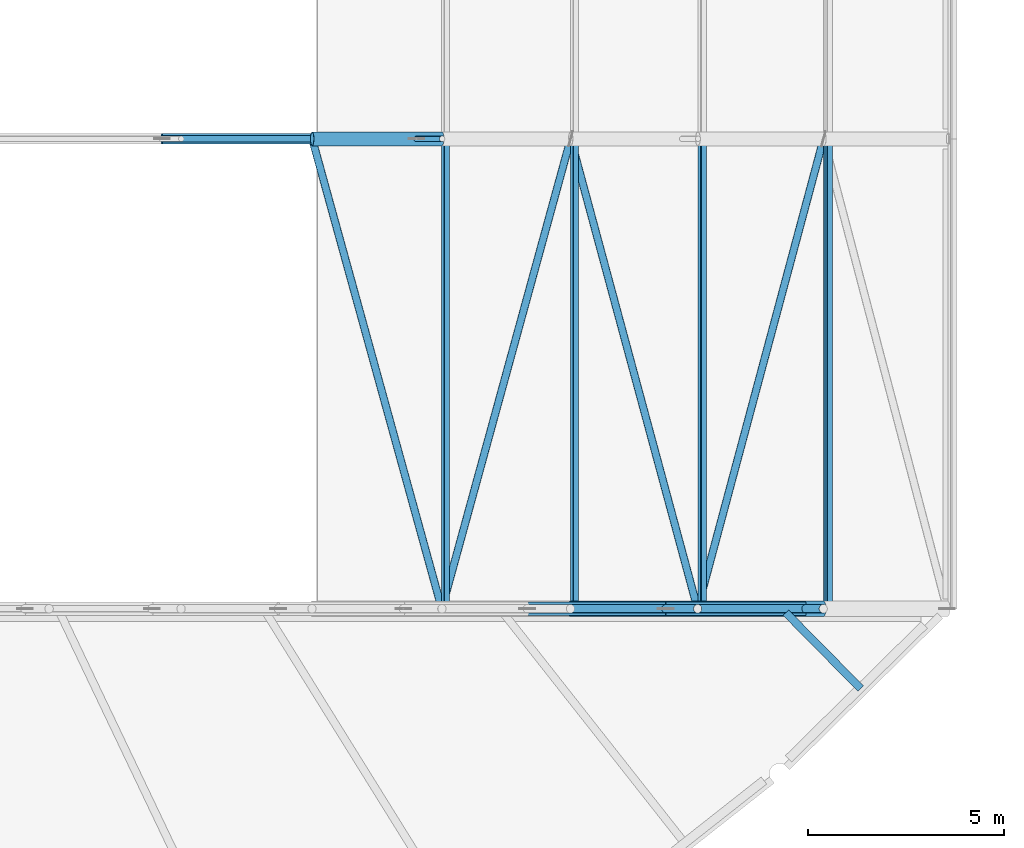
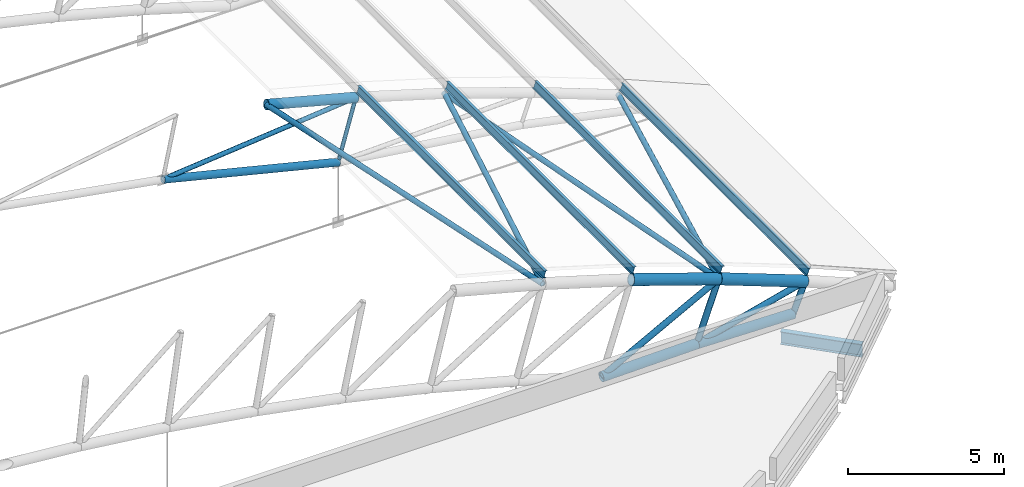
# One storey, part 44 of 321: 21 members.
"""IFC4 building model written with IfcOpenShell, lengths in metres."""

import ifcopenshell
import ifcopenshell.guid

model = None  # the IFC model being written
_history = None  # IfcOwnerHistory: only IFC2X3 demands one
_inside = {}  # id of a spatial element -> (the spatial element, [elements in it])
_under = {}  # id of a project, library or spatial element -> (it, [spatial elements below it])
_declared = {}  # id of a project -> (the project, [libraries it declares])
_typed = {}  # id of a type object -> (the type object, [elements of that type])
_made_of = {}  # id of a material, layer set ... -> (it, [elements and type objects made of it])


def new_model(schema):
    """Start an empty IFC model of exactly this schema.

    Asked for "IFC4X3", IfcOpenShell would pick the latest addendum, in which some entities
    have other attributes; the version numbers below select the first issue.
    IFC2X3 requires an IfcOwnerHistory on every rooted entity: one is made here for all.
    """
    global model, _history
    if schema == "IFC4X3":
        model = ifcopenshell.file(schema_version=(4, 3, 0, 0))
    else:
        model = ifcopenshell.file(schema=schema)
    _inside.clear()
    _under.clear()
    _declared.clear()
    _typed.clear()
    _made_of.clear()
    _history = None
    if model.schema == "IFC2X3":
        org = make("IfcOrganization", Name="unknown")
        user = make(
            "IfcPersonAndOrganization",
            ThePerson=make("IfcPerson", FamilyName="unknown"),
            TheOrganization=org,
        )
        app = make(
            "IfcApplication",
            ApplicationDeveloper=org,
            Version="unknown",
            ApplicationFullName="unknown",
            ApplicationIdentifier="unknown",
        )
        _history = make(
            "IfcOwnerHistory",
            OwningUser=user,
            OwningApplication=app,
            ChangeAction="ADDED",
            CreationDate=0,
        )
    return model


def make(cls, **values):
    """One entity of the class cls with the attributes given. An attribute that is None is left unset."""
    return model.create_entity(
        cls, **{name: value for name, value in values.items() if value is not None}
    )


def rooted(cls, **values):
    """An entity with a GlobalId (a new one), such as an element, a storey or a relation."""
    return make(cls, GlobalId=ifcopenshell.guid.new(), OwnerHistory=_history, **values)


def si_unit(unit_type, name, prefix=None):
    """IfcSIUnit, for example si_unit("LENGTHUNIT", "METRE", prefix="MILLI")."""
    return make("IfcSIUnit", UnitType=unit_type, Prefix=prefix, Name=name)


def assignment(units):
    """IfcUnitAssignment: the units of a project."""
    return None if units is None else make("IfcUnitAssignment", Units=units)


def point(xyz):
    """IfcCartesianPoint."""
    return None if xyz is None else make("IfcCartesianPoint", Coordinates=xyz)


def direction(xyz):
    """IfcDirection."""
    return None if xyz is None else make("IfcDirection", DirectionRatios=xyz)


def frame(location, z_axis=None, x_axis=None):
    """IfcAxis2Placement3D, a coordinate frame: its origin and axes. An axis left out is left unset."""
    return make(
        "IfcAxis2Placement3D",
        Location=point(location),
        Axis=direction(z_axis),
        RefDirection=direction(x_axis),
    )


def frame_2d(location, x_axis=None):
    """IfcAxis2Placement2D, a coordinate frame in the plane: its origin and x axis."""
    return make(
        "IfcAxis2Placement2D", Location=point(location), RefDirection=direction(x_axis)
    )


def origin():
    """The frame at (0, 0, 0) with its axes left unset."""
    return frame((0.0, 0.0, 0.0))


def origin_2d():
    """The frame at (0, 0) in the plane with its x axis left unset."""
    return frame_2d((0.0, 0.0))


def place(relative_to, where):
    """IfcLocalPlacement: puts the frame where relative to a parent placement (None: the world)."""
    return make(
        "IfcLocalPlacement", PlacementRelTo=relative_to, RelativePlacement=where
    )


def context(
    kind, dimensions, precision=None, world=None, true_north=None, identifier=None
):
    """IfcGeometricRepresentationContext, for example the 3D "Model" context."""
    return make(
        "IfcGeometricRepresentationContext",
        ContextIdentifier=identifier,
        ContextType=kind,
        CoordinateSpaceDimension=dimensions,
        Precision=precision,
        WorldCoordinateSystem=world,
        TrueNorth=true_north,
    )


def subcontext(parent, identifier, kind, view, scale=None):
    """IfcGeometricRepresentationSubContext, for example "Body" below "Model"."""
    return make(
        "IfcGeometricRepresentationSubContext",
        ContextIdentifier=identifier,
        ContextType=kind,
        ParentContext=parent,
        TargetScale=scale,
        TargetView=view,
    )


def project(units=None, contexts=None):
    """IfcProject with its units and contexts."""
    return rooted(
        "IfcProject",
        Name="project",
        RepresentationContexts=contexts,
        UnitsInContext=assignment(units),
    )


def spatial(cls, under=None, at=None, **own):
    """A site, building, storey or space (cls), placed at a placement, below another one or the project."""
    s = rooted(cls, ObjectPlacement=at, **own)
    if under is not None:
        _under.setdefault(under.id(), (under, []))[1].append(s)
    return s


def profile(cls, at=None, kind="AREA", **sizes):
    """A parametric profile (cls). Its sizes go by their IFC names, for example OverallWidth=200.0."""
    return make(cls, ProfileType=kind, Position=at, **sizes)


def hollow_circle(**sizes):
    """IfcCircleHollowProfileDef."""
    return profile("IfcCircleHollowProfileDef", **sizes)


def i_section(**sizes):
    """IfcIShapeProfileDef."""
    return profile("IfcIShapeProfileDef", **sizes)


def extrude(swept, where, along, depth):
    """IfcExtrudedAreaSolid: the profile swept, set in the frame where, extruded along a direction by depth."""
    return make(
        "IfcExtrudedAreaSolid",
        SweptArea=swept,
        Position=where,
        ExtrudedDirection=direction(along),
        Depth=depth,
    )


def shape(context_of_items, identifier, shape_type, items):
    """IfcShapeRepresentation: the items that make up one representation, for example the "Body"."""
    return make(
        "IfcShapeRepresentation",
        ContextOfItems=context_of_items,
        RepresentationIdentifier=identifier,
        RepresentationType=shape_type,
        Items=items,
    )


def material(Name=None, Category=None):
    """IfcMaterial."""
    return make("IfcMaterial", Name=Name, Category=Category)


def material_profile(
    of_material, cross_section, Name=None, Category=None, Priority=None
):
    """IfcMaterialProfile: a cross section and its material."""
    return make(
        "IfcMaterialProfile",
        Name=Name,
        Material=of_material,
        Profile=cross_section,
        Priority=Priority,
        Category=Category,
    )


def profile_set(profiles, Name=None, composite=None):
    """IfcMaterialProfileSet."""
    return make(
        "IfcMaterialProfileSet",
        Name=Name,
        MaterialProfiles=profiles,
        CompositeProfile=composite,
    )


def made_of(thing, what):
    """Note that an element or type object is made of a material, layer set ...; save() writes the relation."""
    if what is not None:
        _made_of.setdefault(what.id(), (what, []))[1].append(thing)
    return thing


def type_object(cls, material=None, **own):
    """A type object (cls), such as IfcWallType, which elements share."""
    return made_of(rooted(cls, **own), material)


def element(
    cls,
    number,
    at=None,
    inside=None,
    cuts=None,
    type_object=None,
    material=None,
    context=None,
    identifier="Body",
    shape_type=None,
    held_by="IfcProductDefinitionShape",
    body=None,
    shapes=None,
    **own,
):
    """One element of the class cls, such as IfcWall. Its Tag is "e" and its number.

    at: its placement. inside: the storey or other place that contains it. cuts: it is an
    opening in that element (IfcRelVoidsElement). A single representation is given by context,
    identifier, shape_type and body (its items); several are given by shapes. held_by: the class
    of the entity that holds the representations. save() writes the other relations.
    """
    e = rooted(cls, Tag="e%d" % number, ObjectPlacement=at, **own)
    if body is not None:
        shapes = [shape(context, identifier, shape_type, body)]
    if shapes is not None:
        e.Representation = make(held_by, Representations=shapes)
    if inside is not None:
        _inside.setdefault(inside.id(), (inside, []))[1].append(e)
    if cuts is not None:
        rooted(
            "IfcRelVoidsElement", RelatingBuildingElement=cuts, RelatedOpeningElement=e
        )
    if type_object is not None:
        _typed.setdefault(type_object.id(), (type_object, []))[1].append(e)
    return made_of(e, material)


def aggregate(whole, parts):
    """IfcRelAggregates: a whole, such as a stair, and the parts it consists of."""
    return rooted("IfcRelAggregates", RelatingObject=whole, RelatedObjects=parts)


def save(model, path):
    """Write the relations noted so far, then the file.

    IfcRelAggregates (storeys below a building ...), IfcRelContainedInSpatialStructure (elements
    in a storey), IfcRelDefinesByType, IfcRelAssociatesMaterial and IfcRelDeclares: one each for
    every whole, place, type object, material and project.
    """
    for whole, parts in _under.values():
        aggregate(whole, parts)
    for where, things in _inside.values():
        rooted(
            "IfcRelContainedInSpatialStructure",
            RelatedElements=things,
            RelatingStructure=where,
        )
    for kind, things in _typed.values():
        rooted("IfcRelDefinesByType", RelatedObjects=things, RelatingType=kind)
    for what, things in _made_of.values():
        rooted("IfcRelAssociatesMaterial", RelatedObjects=things, RelatingMaterial=what)
    for by, libraries in _declared.values():
        rooted("IfcRelDeclares", RelatingContext=by, RelatedDefinitions=libraries)
    model.write(path)


model = new_model("IFC4")

# Units and contexts
model_context = context("Model", 3, precision=1e-05, world=origin(), true_north=direction((0.0, 1.0)))
body_context = subcontext(model_context, "Body", "Model", "MODEL_VIEW")
ifc_project = project(units=[si_unit("LENGTHUNIT", "METRE"), si_unit("AREAUNIT", "SQUARE_METRE"), si_unit("VOLUMEUNIT", "CUBIC_METRE"), si_unit("PLANEANGLEUNIT", "RADIAN"), si_unit("MASSUNIT", "GRAM", prefix="KILO")], contexts=[model_context])

# Site, building, storey
site_placement = place(None, origin())
site = spatial("IfcSite", under=ifc_project, at=site_placement, CompositionType="ELEMENT")
building_placement = place(site_placement, origin())
building = spatial("IfcBuilding", under=site, at=building_placement, Name="Ravi Spectrum Wholesale Market", CompositionType="ELEMENT")
storey_placement = place(building_placement, frame((0.0, 0.0, 10.800048828125)))
storey = spatial("IfcBuildingStorey", under=building, at=storey_placement, Name="L02", CompositionType="ELEMENT", Elevation=10.800048828125)

# Members
ifc_material_1 = material(Name="Steel S355", Category="steel")
ifc_material_profile_1 = material_profile(ifc_material_1, hollow_circle(Radius=0.06982421875, WallThickness=0.0048828125, at=origin_2d()))
ifc_profile_set_1 = profile_set([ifc_material_profile_1], Name="Steel S355")
member_type_1 = type_object("IfcMemberType", Name="CHS 139.7x5 post", PredefinedType="POST", material=ifc_profile_set_1)
member_1_placement = place(storey_placement, frame((97.103759765625, 42.0, 4.661376953125), z_axis=(-0.272503703517, 0.0, -0.962154733694), x_axis=(0.0, -1.0, 0.0)))
element("IfcMember", 1, at=member_1_placement, inside=storey, type_object=member_type_1, Name="H1-MB-L02-145", PredefinedType="POST", context=body_context, shape_type="SweptSolid", body=[
    extrude(hollow_circle(Radius=0.06982421875, WallThickness=0.0048828125, at=origin_2d()), origin(), (0.0, 0.0, 1.0), 2.400146484375),
])
ifc_material_2 = material(Name="Steel S355", Category="steel")
ifc_material_profile_2 = material_profile(ifc_material_2, hollow_circle(Radius=0.084228515625, WallThickness=0.00634765625, at=origin_2d()))
ifc_profile_set_2 = profile_set([ifc_material_profile_2], Name="Steel S355")
member_type_2 = type_object("IfcMemberType", Name="CHS 168.3x6.3 brace", PredefinedType="BRACE", material=ifc_profile_set_2)
member_2_placement = place(storey_placement, frame((97.103759765625, 42.0, 4.661376953125), z_axis=(-0.995140525262, 0.0, -0.098464892124), x_axis=(0.0, -1.0, 0.0)))
element("IfcMember", 2, at=member_2_placement, inside=storey, type_object=member_type_2, Name="H1-MB-L02-155", PredefinedType="BRACE", context=body_context, shape_type="SweptSolid", body=[
    extrude(hollow_circle(Radius=0.084228515625, WallThickness=0.00634765625, at=origin_2d()), origin(), (0.0, 0.0, 1.0), 7.1904296875),
])
ifc_material_3 = material(Name="Steel S355", Category="steel")
ifc_material_profile_3 = material_profile(ifc_material_3, hollow_circle(Radius=0.096923828125, WallThickness=0.00634765625, at=origin_2d()))
ifc_profile_set_3 = profile_set([ifc_material_profile_3], Name="Steel S355")
member_type_3 = type_object("IfcMemberType", Name="CHS 193.7x6.3 brace", PredefinedType="BRACE", material=ifc_profile_set_3)
for number, where, z_axis, x_axis, name in (
    (3, (93.786865234375, 42.0, 5.5390625), (0.265211760798, -0.961475768309, -0.072298470859), (0.963998512585, 0.265907630079, 0.0), "H1-MB-L02-1603"),
    (4, (97.096923828125, 30.0, 4.63671875), (0.263726012754, 0.961479081656, -0.077502036978), (-0.964379749157, 0.264521642622, 0.0), "H1-MB-L02-1604"),
    (5, (100.388427734375, 42.0, 3.66943359375), (0.259597548591, -0.961475300154, -0.0904121671), (0.965429280275, 0.260665120006, 0.0), "H1-MB-L02-1605"),
    (6, (103.62841796875, 30.0, 2.541015625), (0.257759532951, 0.961478072674, -0.095498371395), (-0.96589260156, 0.258943009659, 0.0), "H1-MB-L02-1606"),
):
    element("IfcMember", number, at=place(storey_placement, frame(where, z_axis=z_axis, x_axis=x_axis)), inside=storey, type_object=member_type_3, Name=name, PredefinedType="BRACE", context=body_context, shape_type="SweptSolid", body=[
        extrude(hollow_circle(Radius=0.096923828125, WallThickness=0.00634765625, at=origin_2d()), origin(), (0.0, 0.0, 1.0), 12.480712890625),
    ])
ifc_material_4 = material(Name="Steel S355", Category="steel")
ifc_material_profile_4 = material_profile(ifc_material_4, hollow_circle(Radius=0.109619140625, WallThickness=0.008056640625, at=origin_2d()))
ifc_profile_set_4 = profile_set([ifc_material_profile_4], Name="Steel S355")
member_type_4 = type_object("IfcMemberType", Name="CHS 219.1x8 brace", PredefinedType="BRACE", material=ifc_profile_set_4)
member_3_placement = place(storey_placement, frame((103.62841796875, 30.0, 2.541015625), z_axis=(-0.881933088563, 0.0, -0.471374614608), x_axis=(0.0, -1.0, 0.0)))
element("IfcMember", 7, at=member_3_placement, inside=storey, type_object=member_type_4, Name="H1-MB-L02-092", PredefinedType="BRACE", context=body_context, shape_type="SweptSolid", body=[
    extrude(hollow_circle(Radius=0.109619140625, WallThickness=0.008056640625, at=origin_2d()), origin(), (0.0, 0.0, 1.0), 4.9296875),
])
member_4_placement = place(storey_placement, frame((106.836181640625, 30.0, 1.325439453125), z_axis=(-0.967942387937, 0.0, -0.251172318609), x_axis=(0.0, -1.0, 0.0)))
element("IfcMember", 8, at=member_4_placement, inside=storey, type_object=member_type_4, Name="H1-MB-L02-093", PredefinedType="BRACE", context=body_context, shape_type="SweptSolid", body=[
    extrude(hollow_circle(Radius=0.109619140625, WallThickness=0.008056640625, at=origin_2d()), origin(), (0.0, 0.0, 1.0), 4.15234375),
])
ifc_material_5 = material(Name="Steel S355", Category="steel")
ifc_material_profile_5 = material_profile(ifc_material_5, hollow_circle(Radius=0.109619140625, WallThickness=0.008056640625, at=origin_2d()))
ifc_profile_set_5 = profile_set([ifc_material_profile_5], Name="Steel S355")
member_type_5 = type_object("IfcMemberType", Name="CHS 219.1x8 post", PredefinedType="POST", material=ifc_profile_set_5)
member_5_placement = place(storey_placement, frame((103.62841796875, 30.0, 2.541015625), z_axis=(-0.338146640483, 0.0, -0.941093432944), x_axis=(0.0, -1.0, 0.0)))
element("IfcMember", 9, at=member_5_placement, inside=storey, type_object=member_type_5, Name="H1-MB-L02-070", PredefinedType="POST", context=body_context, shape_type="SweptSolid", body=[
    extrude(hollow_circle(Radius=0.109619140625, WallThickness=0.008056640625, at=origin_2d()), origin(), (0.0, 0.0, 1.0), 2.39990234375),
])
member_6_placement = place(storey_placement, frame((106.836181640625, 30.0, 1.325439453125), z_axis=(-0.370513497528, 0.0, -0.928827081942), x_axis=(0.0, -1.0, 0.0)))
element("IfcMember", 10, at=member_6_placement, inside=storey, type_object=member_type_5, Name="H1-MB-L02-071", PredefinedType="POST", context=body_context, shape_type="SweptSolid", body=[
    extrude(hollow_circle(Radius=0.109619140625, WallThickness=0.008056640625, at=origin_2d()), origin(), (0.0, 0.0, 1.0), 1.199951171875),
])
ifc_material_6 = material(Name="Steel S355", Category="steel")
ifc_material_profile_6 = material_profile(ifc_material_6, hollow_circle(Radius=0.136474609375, WallThickness=0.010009765625, at=origin_2d()))
ifc_profile_set_6 = profile_set([ifc_material_profile_6], Name="Steel S355")
member_type_6 = type_object("IfcMemberType", Name="CHS 273x10 chord", PredefinedType="CHORD", material=ifc_profile_set_6)
member_7_placement = place(storey_placement, frame((89.9482421875, 42.0, 3.953369140625), z_axis=(0.970981670562, 0.0, -0.23915391578), x_axis=(0.0, 1.0, 0.0)))
element("IfcMember", 11, at=member_7_placement, inside=storey, type_object=member_type_6, Name="H1-MB-L02-133", PredefinedType="CHORD", context=body_context, shape_type="SweptSolid", body=[
    extrude(hollow_circle(Radius=0.136474609375, WallThickness=0.010009765625, at=origin_2d()), origin(), (0.0, 0.0, 1.0), 6.69580078125),
])
ifc_material_7 = material(Name="Steel S355", Category="steel")
ifc_material_profile_7 = material_profile(ifc_material_7, hollow_circle(Radius=0.177734375, WallThickness=0.012451171875, at=origin_2d()))
ifc_profile_set_7 = profile_set([ifc_material_profile_7], Name="Steel S355")
member_type_7 = type_object("IfcMemberType", Name="CHS 355.6x12.5 chord", PredefinedType="CHORD", material=ifc_profile_set_7)
member_8_placement = place(storey_placement, frame((99.28076171875, 30.0, 0.21728515625), z_axis=(0.999830134639, 0.0, 0.018431002896), x_axis=(0.0, 1.0, 0.0)))
element("IfcMember", 12, at=member_8_placement, inside=storey, type_object=member_type_7, Name="H1-MB-L02-046", PredefinedType="CHORD", context=body_context, shape_type="SweptSolid", body=[
    extrude(hollow_circle(Radius=0.177734375, WallThickness=0.012451171875, at=origin_2d()), origin(), (0.0, 0.0, 1.0), 3.53662109375),
])
member_9_placement = place(storey_placement, frame((102.81689453125, 30.0, 0.282470703125), z_axis=(0.999799841502, 0.0, -0.020006922112), x_axis=(0.0, 1.0, 0.0)))
element("IfcMember", 13, at=member_9_placement, inside=storey, type_object=member_type_7, Name="H1-MB-L02-047", PredefinedType="CHORD", context=body_context, shape_type="SweptSolid", body=[
    extrude(hollow_circle(Radius=0.177734375, WallThickness=0.012451171875, at=origin_2d()), origin(), (0.0, 0.0, 1.0), 3.575439453125),
])
member_10_placement = place(storey_placement, frame((93.786865234375, 42.0, 5.5390625), z_axis=(0.966728003216, 0.0, -0.255806504605), x_axis=(0.0, 1.0, 0.0)))
element("IfcMember", 14, at=member_10_placement, inside=storey, type_object=member_type_7, Name="H1-MB-L02-119", PredefinedType="CHORD", context=body_context, shape_type="SweptSolid", body=[
    extrude(hollow_circle(Radius=0.177734375, WallThickness=0.012451171875, at=origin_2d()), origin(), (0.0, 0.0, 1.0), 3.43115234375),
])
ifc_material_8 = material(Name="Steel S355", Category="steel")
ifc_material_profile_8 = material_profile(ifc_material_8, hollow_circle(Radius=0.203125, WallThickness=0.01611328125, at=origin_2d()))
ifc_profile_set_8 = profile_set([ifc_material_profile_8], Name="Steel S355")
member_type_8 = type_object("IfcMemberType", Name="CHS 406.4x16 chord", PredefinedType="CHORD", material=ifc_profile_set_8)
for number, where, z_axis, x_axis, name in (
    (15, (100.380615234375, 30.0, 3.645263671875), (0.946773178626, 0.0, -0.321901457335), (0.0, 1.0, 0.0), "H1-MB-L02-022"),
    (16, (103.62841796875, 30.0, 2.541015625), (0.935109783896, 0.0, -0.354358140956), (0.0, 1.0, 0.0), "H1-MB-L02-023"),
):
    element("IfcMember", number, at=place(storey_placement, frame(where, z_axis=z_axis, x_axis=x_axis)), inside=storey, type_object=member_type_8, Name=name, PredefinedType="CHORD", context=body_context, shape_type="SweptSolid", body=[
        extrude(hollow_circle(Radius=0.203125, WallThickness=0.01611328125, at=origin_2d()), origin(), (0.0, 0.0, 1.0), 3.430419921875),
    ])
ifc_material_9 = material(Name="Steel S355", Category="steel")
ifc_material_profile_9 = material_profile(ifc_material_9, i_section(OverallWidth=0.135009765625, OverallDepth=0.27001953125, WebThickness=0.006591796875, FlangeThickness=0.01025390625, at=origin_2d()))
ifc_profile_set_9 = profile_set([ifc_material_profile_9], Name="Steel S355")
member_type_9 = type_object("IfcMemberType", Name="IPE 270 purlin", PredefinedType="PURLIN", material=ifc_profile_set_9)
for number, where, z_axis, x_axis, name in (
    (17, (97.18896484375, 30.0, 4.962158203125), (0.0, 1.0, 0.0), (-0.96215600485, 0.0, 0.272499215286), "H1-MB-L02-1254"),
    (18, (100.484130859375, 30.0, 3.96728515625), (0.0, 1.0, 0.0), (-0.952184497174, 0.0, 0.305523621577), "H1-MB-L02-1255"),
    (19, (103.74267578125, 30.0, 2.859375), (0.0, 1.0, 0.0), (-0.941079849597, 0.0, 0.338184441811), "H1-MB-L02-1256"),
    (20, (106.96142578125, 30.0, 1.6396484375), (0.0, 1.0, 0.0), (-0.928855283584, 0.0, 0.370442792017), "H1-MB-L02-1257"),
):
    element("IfcMember", number, at=place(storey_placement, frame(where, z_axis=z_axis, x_axis=x_axis)), inside=storey, type_object=member_type_9, Name=name, PredefinedType="PURLIN", context=body_context, shape_type="SweptSolid", body=[
        extrude(i_section(OverallWidth=0.135009765625, OverallDepth=0.27001953125, WebThickness=0.006591796875, FlangeThickness=0.01025390625, at=origin_2d()), origin(), (0.0, 0.0, 1.0), 12.0),
    ])
ifc_material_10 = material(Name="Steel S355", Category="steel")
ifc_material_profile_10 = material_profile(ifc_material_10, i_section(OverallWidth=0.199951171875, OverallDepth=0.5, WebThickness=0.01025390625, FlangeThickness=0.01611328125, at=origin_2d()))
ifc_profile_set_10 = profile_set([ifc_material_profile_10], Name="Steel S355")
member_type_10 = type_object("IfcMemberType", Name="IPE 500 rafter", PredefinedType="RAFTER", material=ifc_profile_set_10)
member_11_placement = place(storey_placement, frame((107.79296875, 27.96337890625, -0.449951171875), z_axis=(-0.702288886702, 0.711892070201, 0.0), x_axis=(-0.711892070201, -0.702288886702, 0.0)))
element("IfcMember", 21, at=member_11_placement, inside=storey, type_object=member_type_10, Name="H1-MB-L02-1752", PredefinedType="RAFTER", context=body_context, shape_type="SweptSolid", body=[
    extrude(i_section(OverallWidth=0.199951171875, OverallDepth=0.5, WebThickness=0.01025390625, FlangeThickness=0.01611328125, at=origin_2d()), origin(), (0.0, 0.0, 1.0), 2.72021484375),
])

save(model, "model.ifc")
